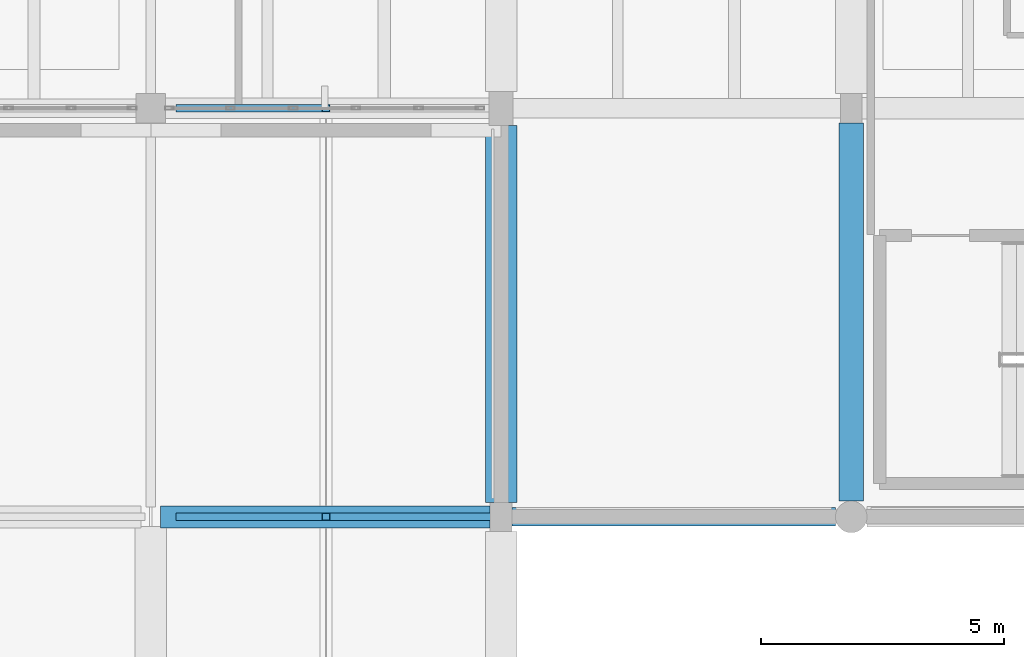
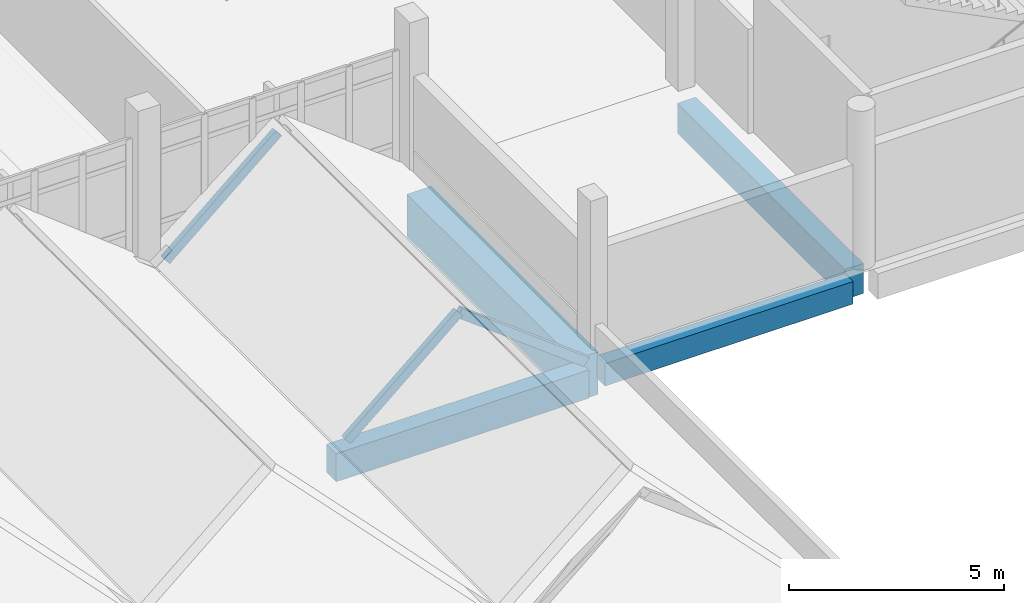
# One storey, part 10 of 41: 4 beams, 3 members.
"""IFC4 building model written with IfcOpenShell, lengths in metres."""

from ifc_helpers import new_model, si_unit, direction, frame, origin, origin_2d, place, context, subcontext, project, spatial, rectangle, hollow_rectangle, extrude, material, material_profile, profile_set, type_object, element, save


model = new_model("IFC4")

# Units and contexts
model_context = context("Model", 3, precision=1e-05, world=origin(), true_north=direction((0.0, 1.0)))
body_context = subcontext(model_context, "Body", "Model", "MODEL_VIEW")
ifc_project = project(units=[si_unit("LENGTHUNIT", "METRE"), si_unit("AREAUNIT", "SQUARE_METRE"), si_unit("VOLUMEUNIT", "CUBIC_METRE"), si_unit("PLANEANGLEUNIT", "RADIAN"), si_unit("MASSUNIT", "GRAM", prefix="KILO")], contexts=[model_context])

# Site, building, storey
site_placement = place(None, origin())
site = spatial("IfcSite", under=ifc_project, at=site_placement, CompositionType="ELEMENT")
building_placement = place(site_placement, origin())
building = spatial("IfcBuilding", under=site, at=building_placement, Name="Kalluvel Institute of Natural Sciences", CompositionType="ELEMENT")
storey_placement = place(building_placement, frame((0.0, 0.0, 32.39990234375)))
storey = spatial("IfcBuildingStorey", under=building, at=storey_placement, Name="L07", CompositionType="ELEMENT", Elevation=32.39990234375)

# Beams
ifc_material_1 = material(Name="Concrete M40", Category="concrete")
ifc_material_profile_1 = material_profile(ifc_material_1, rectangle(XDim=0.3798828125, YDim=0.639892578125, at=origin_2d()), Name="RCB 380x640")
ifc_profile_set_1 = profile_set([ifc_material_profile_1], Name="Concrete M40")
beam_type_1 = type_object("IfcBeamType", Name="BM-RC380x640", PredefinedType="BEAM", material=ifc_profile_set_1)
beam_1_placement = place(storey_placement, frame((35.824951171875, 94.39990234375, -0.639892578125), z_axis=(1.0, 0.0, 0.0), x_axis=(0.0, 1.0, 0.0)))
element("IfcBeam", 1, at=beam_1_placement, inside=storey, type_object=beam_type_1, Name="L07 girder GIR-L07-EW-X356-Y944", PredefinedType="BEAM", context=body_context, shape_type="SweptSolid", body=[
    extrude(rectangle(XDim=0.3798828125, YDim=0.639892578125, at=origin_2d()), origin(), (0.0, 0.0, 1.0), 6.650146484375),
])
ifc_material_profile_2 = material_profile(ifc_material_1, rectangle(XDim=0.449951171875, YDim=0.800048828125, at=origin_2d()), Name="RCB 450x800")
ifc_profile_set_2 = profile_set([ifc_material_profile_2], Name="Concrete M40")
beam_type_2 = type_object("IfcBeamType", Name="BM-RC450x800", PredefinedType="BEAM", material=ifc_profile_set_2)
beam_2_placement = place(storey_placement, frame((28.60009765625, 94.39990234375, -0.719970703125), z_axis=(1.0, 0.0, 0.0), x_axis=(0.0, 1.0, 0.0)))
element("IfcBeam", 2, at=beam_2_placement, inside=storey, type_object=beam_type_2, Name="L07 girder GIR-L07-EW-X284-Y944", PredefinedType="BEAM", context=body_context, shape_type="SweptSolid", body=[
    extrude(rectangle(XDim=0.449951171875, YDim=0.800048828125, at=origin_2d()), origin(), (0.0, 0.0, 1.0), 6.77490234375),
])
ifc_material_2 = material(Name="Concrete M50", Category="concrete")
ifc_material_profile_3 = material_profile(ifc_material_2, rectangle(XDim=0.5, YDim=0.85009765625, at=origin_2d()), Name="RCB 500x850")
ifc_profile_set_3 = profile_set([ifc_material_profile_3], Name="Concrete M50")
beam_type_3 = type_object("IfcBeamType", Name="BM-RC500x850", PredefinedType="BEAM", material=ifc_profile_set_3)
beam_3_placement = place(storey_placement, frame((42.800048828125, 94.72509765625, -0.744873046875), z_axis=(0.0, 1.0, 0.0), x_axis=(-1.0, 0.0, 0.0)))
element("IfcBeam", 3, at=beam_3_placement, inside=storey, type_object=beam_type_3, Name="L07 girder GIR-L07-NS-X428-Y944", PredefinedType="BEAM", context=body_context, shape_type="SweptSolid", body=[
    extrude(rectangle(XDim=0.5, YDim=0.85009765625, at=origin_2d()), origin(), (0.0, 0.0, 1.0), 7.77490234375),
])
ifc_material_profile_4 = material_profile(ifc_material_2, rectangle(XDim=0.64990234375, YDim=1.199951171875, at=origin_2d()), Name="RCB 650x1200")
ifc_profile_set_4 = profile_set([ifc_material_profile_4], Name="Concrete M50")
beam_type_4 = type_object("IfcBeamType", Name="BM-RC650x1200", PredefinedType="BEAM", material=ifc_profile_set_4)
beam_4_placement = place(storey_placement, frame((35.60009765625, 94.699951171875, -0.919921875), z_axis=(0.0, 1.0, 0.0), x_axis=(-1.0, 0.0, 0.0)))
element("IfcBeam", 4, at=beam_4_placement, inside=storey, type_object=beam_type_4, Name="L07 girder GIR-L07-NS-X356-Y944", PredefinedType="BEAM", context=body_context, shape_type="SweptSolid", body=[
    extrude(rectangle(XDim=0.64990234375, YDim=1.199951171875, at=origin_2d()), origin(), (0.0, 0.0, 1.0), 7.75),
])

# Members
ifc_material_3 = material(Name="Steel E350 Grade 350", Category="steel")
ifc_material_profile_5 = material_profile(ifc_material_3, hollow_rectangle(XDim=0.14990234375, YDim=0.25, WallThickness=0.010009765625, at=origin_2d()), Name="RHS 250x150x10")
ifc_profile_set_5 = profile_set([ifc_material_profile_5], Name="Steel E350 Grade 350")
member_type = type_object("IfcMemberType", Name="MB-RAFT-RHS250", PredefinedType="RAFTER", material=ifc_profile_set_5)
member_1_placement = place(storey_placement, frame((29.0, 94.39990234375, -0.199951171875), z_axis=(0.758175435379, 0.0, 0.652050618578), x_axis=(0.0, 1.0, 0.0)))
element("IfcMember", 5, at=member_1_placement, inside=storey, type_object=member_type, Name="Dry Wing Gothic roof rafter W3-94", PredefinedType="RAFTER", context=body_context, shape_type="SweptSolid", body=[
    extrude(hollow_rectangle(XDim=0.14990234375, YDim=0.25, WallThickness=0.010009765625, at=origin_2d()), origin(), (0.0, 0.0, 1.0), 3.956787109375),
])
member_2_placement = place(storey_placement, frame((35.39990234375, 94.39990234375, -0.199951171875), z_axis=(-0.796596284013, 0.0, 0.604511670935), x_axis=(0.0, -1.0, 0.0)))
element("IfcMember", 6, at=member_2_placement, inside=storey, type_object=member_type, Name="Dry Wing Gothic roof rafter E3-94", PredefinedType="RAFTER", context=body_context, shape_type="SweptSolid", body=[
    extrude(hollow_rectangle(XDim=0.14990234375, YDim=0.25, WallThickness=0.010009765625, at=origin_2d()), origin(), (0.0, 0.0, 1.0), 4.26806640625),
])
member_3_placement = place(storey_placement, frame((29.0, 102.800048828125, -0.199951171875), z_axis=(0.758175435379, 0.0, 0.652050618578), x_axis=(0.0, 1.0, 0.0)))
element("IfcMember", 7, at=member_3_placement, inside=storey, type_object=member_type, Name="Dry Wing Gothic roof rafter W3-102", PredefinedType="RAFTER", context=body_context, shape_type="SweptSolid", body=[
    extrude(hollow_rectangle(XDim=0.14990234375, YDim=0.25, WallThickness=0.010009765625, at=origin_2d()), origin(), (0.0, 0.0, 1.0), 3.956787109375),
])

save(model, "model.ifc")
